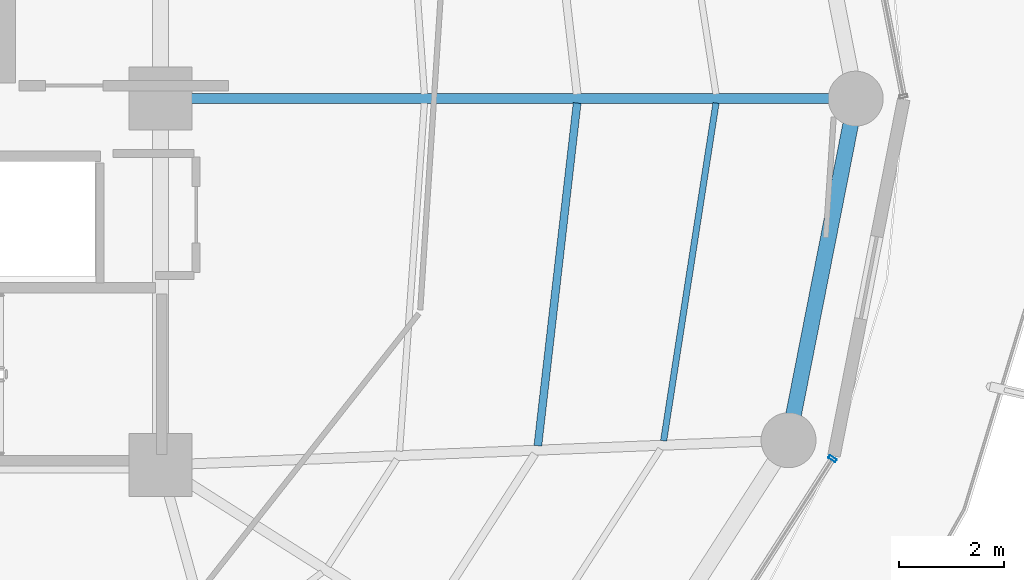
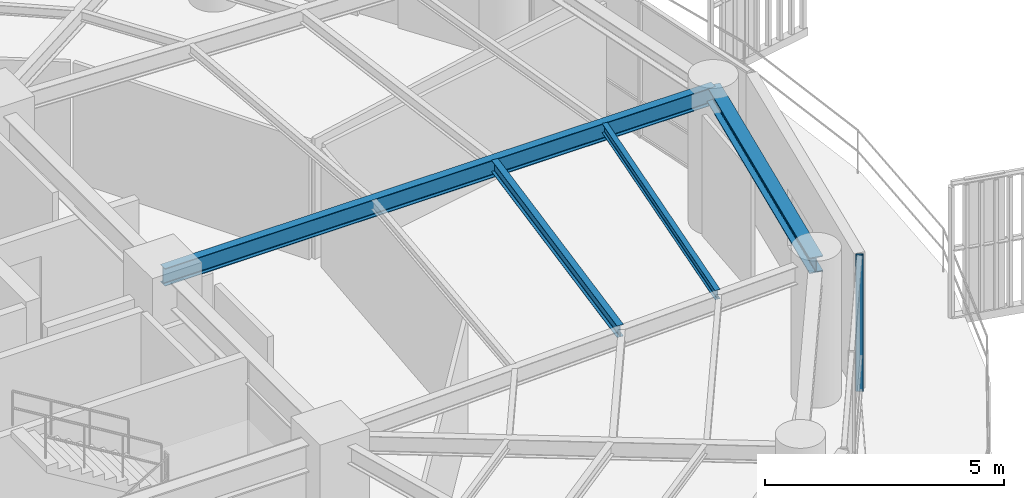
# One storey, part 13 of 30: 4 beams, 1 member, 1 element without a shape of its own.
"""IFC4 building model written with IfcOpenShell, lengths in metres."""

import ifcopenshell
import ifcopenshell.guid

model = None  # the IFC model being written
_history = None  # IfcOwnerHistory: only IFC2X3 demands one
_inside = {}  # id of a spatial element -> (the spatial element, [elements in it])
_under = {}  # id of a project, library or spatial element -> (it, [spatial elements below it])
_declared = {}  # id of a project -> (the project, [libraries it declares])
_typed = {}  # id of a type object -> (the type object, [elements of that type])
_made_of = {}  # id of a material, layer set ... -> (it, [elements and type objects made of it])


def new_model(schema):
    """Start an empty IFC model of exactly this schema.

    Asked for "IFC4X3", IfcOpenShell would pick the latest addendum, in which some entities
    have other attributes; the version numbers below select the first issue.
    IFC2X3 requires an IfcOwnerHistory on every rooted entity: one is made here for all.
    """
    global model, _history
    if schema == "IFC4X3":
        model = ifcopenshell.file(schema_version=(4, 3, 0, 0))
    else:
        model = ifcopenshell.file(schema=schema)
    _inside.clear()
    _under.clear()
    _declared.clear()
    _typed.clear()
    _made_of.clear()
    _history = None
    if model.schema == "IFC2X3":
        org = make("IfcOrganization", Name="unknown")
        user = make(
            "IfcPersonAndOrganization",
            ThePerson=make("IfcPerson", FamilyName="unknown"),
            TheOrganization=org,
        )
        app = make(
            "IfcApplication",
            ApplicationDeveloper=org,
            Version="unknown",
            ApplicationFullName="unknown",
            ApplicationIdentifier="unknown",
        )
        _history = make(
            "IfcOwnerHistory",
            OwningUser=user,
            OwningApplication=app,
            ChangeAction="ADDED",
            CreationDate=0,
        )
    return model


def make(cls, **values):
    """One entity of the class cls with the attributes given. An attribute that is None is left unset."""
    return model.create_entity(
        cls, **{name: value for name, value in values.items() if value is not None}
    )


def rooted(cls, **values):
    """An entity with a GlobalId (a new one), such as an element, a storey or a relation."""
    return make(cls, GlobalId=ifcopenshell.guid.new(), OwnerHistory=_history, **values)


def si_unit(unit_type, name, prefix=None):
    """IfcSIUnit, for example si_unit("LENGTHUNIT", "METRE", prefix="MILLI")."""
    return make("IfcSIUnit", UnitType=unit_type, Prefix=prefix, Name=name)


def assignment(units):
    """IfcUnitAssignment: the units of a project."""
    return None if units is None else make("IfcUnitAssignment", Units=units)


def point(xyz):
    """IfcCartesianPoint."""
    return None if xyz is None else make("IfcCartesianPoint", Coordinates=xyz)


def direction(xyz):
    """IfcDirection."""
    return None if xyz is None else make("IfcDirection", DirectionRatios=xyz)


def frame(location, z_axis=None, x_axis=None):
    """IfcAxis2Placement3D, a coordinate frame: its origin and axes. An axis left out is left unset."""
    return make(
        "IfcAxis2Placement3D",
        Location=point(location),
        Axis=direction(z_axis),
        RefDirection=direction(x_axis),
    )


def frame_2d(location, x_axis=None):
    """IfcAxis2Placement2D, a coordinate frame in the plane: its origin and x axis."""
    return make(
        "IfcAxis2Placement2D", Location=point(location), RefDirection=direction(x_axis)
    )


def origin():
    """The frame at (0, 0, 0) with its axes left unset."""
    return frame((0.0, 0.0, 0.0))


def origin_2d():
    """The frame at (0, 0) in the plane with its x axis left unset."""
    return frame_2d((0.0, 0.0))


def place(relative_to, where):
    """IfcLocalPlacement: puts the frame where relative to a parent placement (None: the world)."""
    return make(
        "IfcLocalPlacement", PlacementRelTo=relative_to, RelativePlacement=where
    )


def context(
    kind, dimensions, precision=None, world=None, true_north=None, identifier=None
):
    """IfcGeometricRepresentationContext, for example the 3D "Model" context."""
    return make(
        "IfcGeometricRepresentationContext",
        ContextIdentifier=identifier,
        ContextType=kind,
        CoordinateSpaceDimension=dimensions,
        Precision=precision,
        WorldCoordinateSystem=world,
        TrueNorth=true_north,
    )


def subcontext(parent, identifier, kind, view, scale=None):
    """IfcGeometricRepresentationSubContext, for example "Body" below "Model"."""
    return make(
        "IfcGeometricRepresentationSubContext",
        ContextIdentifier=identifier,
        ContextType=kind,
        ParentContext=parent,
        TargetScale=scale,
        TargetView=view,
    )


def project(units=None, contexts=None):
    """IfcProject with its units and contexts."""
    return rooted(
        "IfcProject",
        Name="project",
        RepresentationContexts=contexts,
        UnitsInContext=assignment(units),
    )


def spatial(cls, under=None, at=None, **own):
    """A site, building, storey or space (cls), placed at a placement, below another one or the project."""
    s = rooted(cls, ObjectPlacement=at, **own)
    if under is not None:
        _under.setdefault(under.id(), (under, []))[1].append(s)
    return s


def profile(cls, at=None, kind="AREA", **sizes):
    """A parametric profile (cls). Its sizes go by their IFC names, for example OverallWidth=200.0."""
    return make(cls, ProfileType=kind, Position=at, **sizes)


def hollow_rectangle(**sizes):
    """IfcRectangleHollowProfileDef."""
    return profile("IfcRectangleHollowProfileDef", **sizes)


def i_section(**sizes):
    """IfcIShapeProfileDef."""
    return profile("IfcIShapeProfileDef", **sizes)


def extrude(swept, where, along, depth):
    """IfcExtrudedAreaSolid: the profile swept, set in the frame where, extruded along a direction by depth."""
    return make(
        "IfcExtrudedAreaSolid",
        SweptArea=swept,
        Position=where,
        ExtrudedDirection=direction(along),
        Depth=depth,
    )


def shape(context_of_items, identifier, shape_type, items):
    """IfcShapeRepresentation: the items that make up one representation, for example the "Body"."""
    return make(
        "IfcShapeRepresentation",
        ContextOfItems=context_of_items,
        RepresentationIdentifier=identifier,
        RepresentationType=shape_type,
        Items=items,
    )


def material(Name=None, Category=None):
    """IfcMaterial."""
    return make("IfcMaterial", Name=Name, Category=Category)


def layer(
    of_material, thickness, ventilated=None, Name=None, Category=None, Priority=None
):
    """IfcMaterialLayer: one layer of a wall or slab, of a material (None: an air gap)."""
    return make(
        "IfcMaterialLayer",
        Material=of_material,
        LayerThickness=thickness,
        IsVentilated=ventilated,
        Name=Name,
        Category=Category,
        Priority=Priority,
    )


def layer_set(layers, Name=None):
    """IfcMaterialLayerSet."""
    return make("IfcMaterialLayerSet", MaterialLayers=layers, LayerSetName=Name)


def material_profile(
    of_material, cross_section, Name=None, Category=None, Priority=None
):
    """IfcMaterialProfile: a cross section and its material."""
    return make(
        "IfcMaterialProfile",
        Name=Name,
        Material=of_material,
        Profile=cross_section,
        Priority=Priority,
        Category=Category,
    )


def profile_set(profiles, Name=None, composite=None):
    """IfcMaterialProfileSet."""
    return make(
        "IfcMaterialProfileSet",
        Name=Name,
        MaterialProfiles=profiles,
        CompositeProfile=composite,
    )


def made_of(thing, what):
    """Note that an element or type object is made of a material, layer set ...; save() writes the relation."""
    if what is not None:
        _made_of.setdefault(what.id(), (what, []))[1].append(thing)
    return thing


def type_object(cls, material=None, **own):
    """A type object (cls), such as IfcWallType, which elements share."""
    return made_of(rooted(cls, **own), material)


def element(
    cls,
    number,
    at=None,
    inside=None,
    cuts=None,
    type_object=None,
    material=None,
    context=None,
    identifier="Body",
    shape_type=None,
    held_by="IfcProductDefinitionShape",
    body=None,
    shapes=None,
    **own,
):
    """One element of the class cls, such as IfcWall. Its Tag is "e" and its number.

    at: its placement. inside: the storey or other place that contains it. cuts: it is an
    opening in that element (IfcRelVoidsElement). A single representation is given by context,
    identifier, shape_type and body (its items); several are given by shapes. held_by: the class
    of the entity that holds the representations. save() writes the other relations.
    """
    e = rooted(cls, Tag="e%d" % number, ObjectPlacement=at, **own)
    if body is not None:
        shapes = [shape(context, identifier, shape_type, body)]
    if shapes is not None:
        e.Representation = make(held_by, Representations=shapes)
    if inside is not None:
        _inside.setdefault(inside.id(), (inside, []))[1].append(e)
    if cuts is not None:
        rooted(
            "IfcRelVoidsElement", RelatingBuildingElement=cuts, RelatedOpeningElement=e
        )
    if type_object is not None:
        _typed.setdefault(type_object.id(), (type_object, []))[1].append(e)
    return made_of(e, material)


def aggregate(whole, parts):
    """IfcRelAggregates: a whole, such as a stair, and the parts it consists of."""
    return rooted("IfcRelAggregates", RelatingObject=whole, RelatedObjects=parts)


def save(model, path):
    """Write the relations noted so far, then the file.

    IfcRelAggregates (storeys below a building ...), IfcRelContainedInSpatialStructure (elements
    in a storey), IfcRelDefinesByType, IfcRelAssociatesMaterial and IfcRelDeclares: one each for
    every whole, place, type object, material and project.
    """
    for whole, parts in _under.values():
        aggregate(whole, parts)
    for where, things in _inside.values():
        rooted(
            "IfcRelContainedInSpatialStructure",
            RelatedElements=things,
            RelatingStructure=where,
        )
    for kind, things in _typed.values():
        rooted("IfcRelDefinesByType", RelatedObjects=things, RelatingType=kind)
    for what, things in _made_of.values():
        rooted("IfcRelAssociatesMaterial", RelatedObjects=things, RelatingMaterial=what)
    for by, libraries in _declared.values():
        rooted("IfcRelDeclares", RelatingContext=by, RelatedDefinitions=libraries)
    model.write(path)


model = new_model("IFC4")

# Units and contexts
model_context = context("Model", 3, precision=1e-05, world=origin(), true_north=direction((0.0, 1.0)))
body_context = subcontext(model_context, "Body", "Model", "MODEL_VIEW")
ifc_project = project(units=[si_unit("LENGTHUNIT", "METRE"), si_unit("AREAUNIT", "SQUARE_METRE"), si_unit("VOLUMEUNIT", "CUBIC_METRE"), si_unit("PLANEANGLEUNIT", "RADIAN"), si_unit("MASSUNIT", "GRAM", prefix="KILO")], contexts=[model_context])

# Site, building, storey
site_placement = place(None, origin())
site = spatial("IfcSite", under=ifc_project, at=site_placement, CompositionType="ELEMENT")
building_placement = place(site_placement, origin())
building = spatial("IfcBuilding", under=site, at=building_placement, Name="Kelanora Arch Commons", CompositionType="ELEMENT")
storey_placement = place(building_placement, frame((0.0, 0.0, 204.449951171875)))
storey = spatial("IfcBuildingStorey", under=building, at=storey_placement, Name="L52", CompositionType="ELEMENT", Elevation=204.449951171875)

# Beams
ifc_material_1 = material(Name="Steel S355", Category="steel")
ifc_material_profile_1 = material_profile(ifc_material_1, i_section(OverallWidth=0.14990234375, OverallDepth=0.300048828125, WebThickness=0.007080078125, FlangeThickness=0.0107421875, FilletRadius=0.014892578125, at=origin_2d()), Name="IPE300")
ifc_profile_set_1 = profile_set([ifc_material_profile_1], Name="Steel S355")
beam_type_1 = type_object("IfcBeamType", Name="BM-JST-01", PredefinedType="JOIST", material=ifc_profile_set_1)
beam_1_placement = place(storey_placement, frame((89.207763671875, 51.368896484375, 3.340087890625), z_axis=(0.113891408177, 0.993493204377, 0.0), x_axis=(-0.993493204377, 0.113891408177, 0.0)))
element("IfcBeam", 1, at=beam_1_placement, inside=storey, type_object=beam_type_1, Name="Secondary Chord Joist BJB-34 L52", PredefinedType="JOIST", context=body_context, shape_type="SweptSolid", body=[
    extrude(i_section(OverallWidth=0.14990234375, OverallDepth=0.300048828125, WebThickness=0.007080078125, FlangeThickness=0.0107421875, FilletRadius=0.014892578125, at=origin_2d()), origin(), (0.0, 0.0, 1.0), 6.589599609375),
])
ifc_material_profile_2 = material_profile(ifc_material_1, i_section(OverallWidth=0.1201171875, OverallDepth=0.239990234375, WebThickness=0.006103515625, FlangeThickness=0.009765625, FilletRadius=0.014892578125, at=origin_2d()), Name="IPE240")
ifc_profile_set_2 = profile_set([ifc_material_profile_2], Name="Steel S355")
beam_type_2 = type_object("IfcBeamType", Name="BM-JST-02", PredefinedType="JOIST", material=ifc_profile_set_2)
beam_2_placement = place(storey_placement, frame((91.6103515625, 51.46337890625, 3.3701171875), z_axis=(0.153256756152, 0.988186402808, 0.0), x_axis=(-0.988186402808, 0.153256756152, 0.0)))
element("IfcBeam", 2, at=beam_2_placement, inside=storey, type_object=beam_type_2, Name="Secondary Chord Joist BJC-34 L52", PredefinedType="JOIST", context=body_context, shape_type="SweptSolid", body=[
    extrude(i_section(OverallWidth=0.1201171875, OverallDepth=0.239990234375, WebThickness=0.006103515625, FlangeThickness=0.009765625, FilletRadius=0.014892578125, at=origin_2d()), origin(), (0.0, 0.0, 1.0), 6.52978515625),
])
ifc_material_profile_3 = material_profile(ifc_material_1, i_section(OverallWidth=0.18994140625, OverallDepth=0.449951171875, WebThickness=0.009521484375, FlangeThickness=0.0146484375, FilletRadius=0.02099609375, at=origin_2d()), Name="IPE450")
ifc_profile_set_3 = profile_set([ifc_material_profile_3], Name="Steel S355")
beam_type_3 = type_object("IfcBeamType", Name="BM-RAD-Z4", PredefinedType="BEAM", material=ifc_profile_set_3)
beam_3_placement = place(storey_placement, frame((82.0, 58.0, 3.26513671875), z_axis=(1.0, 0.0, 0.0), x_axis=(0.0, 1.0, 0.0)))
element("IfcBeam", 3, at=beam_3_placement, inside=storey, type_object=beam_type_3, Name="Radial Floor Girder BR-00 L52", PredefinedType="BEAM", context=body_context, shape_type="SweptSolid", body=[
    extrude(i_section(OverallWidth=0.18994140625, OverallDepth=0.449951171875, WebThickness=0.009521484375, FlangeThickness=0.0146484375, FilletRadius=0.02099609375, at=origin_2d()), origin(), (0.0, 0.0, 1.0), 13.280029296875),
])
ifc_material_profile_4 = material_profile(ifc_material_1, i_section(OverallWidth=0.300048828125, OverallDepth=0.39990234375, WebThickness=0.013427734375, FlangeThickness=0.02392578125, FilletRadius=0.027099609375, at=origin_2d()), Name="HEB400")
ifc_profile_set_4 = profile_set([ifc_material_profile_4], Name="Steel S355")
beam_type_4 = type_object("IfcBeamType", Name="BM-SPN-Z4", PredefinedType="SPANDREL", material=ifc_profile_set_4)
beam_4_placement = place(storey_placement, frame((93.99658203125, 51.474365234375, 3.2900390625), z_axis=(0.192980724826, 0.981202547819, 0.0), x_axis=(-0.981202547819, 0.192980724826, 0.0)))
element("IfcBeam", 4, at=beam_4_placement, inside=storey, type_object=beam_type_4, Name="Perimeter Spandrel Beam BS-34 L52", PredefinedType="SPANDREL", context=body_context, shape_type="SweptSolid", body=[
    extrude(i_section(OverallWidth=0.300048828125, OverallDepth=0.39990234375, WebThickness=0.013427734375, FlangeThickness=0.02392578125, FilletRadius=0.027099609375, at=origin_2d()), origin(), (0.0, 0.0, 1.0), 6.650634765625),
])

# Curtain wall, member
ifc_material_2 = material(Name="Terracotta ceramic-fritted low-E glass and aluminium", Category="masonry")
ifc_layer = layer(ifc_material_2, 0.175048828125)
ifc_layer_set = layer_set([ifc_layer], Name="Terracotta ceramic-fritted low-E glass and aluminium")
curtain_wall_type = type_object("IfcCurtainWallType", Name="CW-SYS-02", PredefinedType="NOTDEFINED", material=ifc_layer_set)
curtain_wall_placement = place(storey_placement, origin())
curtain_wall = element("IfcCurtainWall", 5, at=curtain_wall_placement, inside=storey, type_object=curtain_wall_type, Name="Unitised Curtain Wall L52-B16", PredefinedType="NOTDEFINED")
ifc_material_3 = material(Name="Powder-coated aluminium terracotta", Category="masonry")
ifc_material_profile_5 = material_profile(ifc_material_3, hollow_rectangle(XDim=0.159912109375, YDim=0.06005859375, WallThickness=0.0048828125, InnerFilletRadius=0.0048828125, OuterFilletRadius=0.010009765625, at=origin_2d()), Name="CWM160x60")
ifc_profile_set_5 = profile_set([ifc_material_profile_5], Name="Powder-coated aluminium terracotta")
member_type = type_object("IfcMemberType", Name="CWM-STD", PredefinedType="MULLION", material=ifc_profile_set_5)
member_placement = place(storey_placement, frame((94.8369140625, 51.121826171875, 0.0), z_axis=(0.0, 0.0, 1.0), x_axis=(-0.84194757539, 0.539559338994, 0.0)))
member = element("IfcMember", 6, at=member_placement, type_object=member_type, Name="CW-02 mullion 3", PredefinedType="MULLION", context=body_context, shape_type="SweptSolid", body=[
    extrude(hollow_rectangle(XDim=0.159912109375, YDim=0.06005859375, WallThickness=0.0048828125, InnerFilletRadius=0.0048828125, OuterFilletRadius=0.010009765625, at=origin_2d()), origin(), (0.0, 0.0, 1.0), 3.47509765625),
])
aggregate(curtain_wall, [member])

save(model, "model.ifc")
